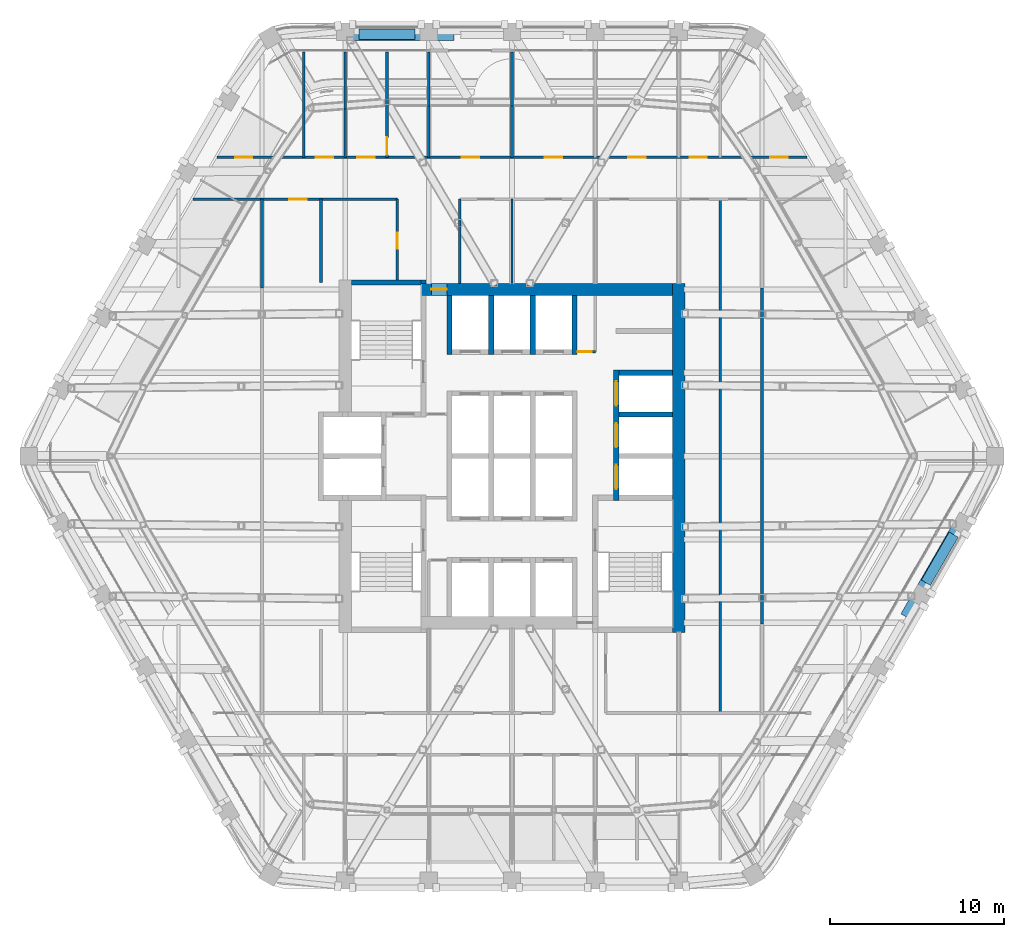
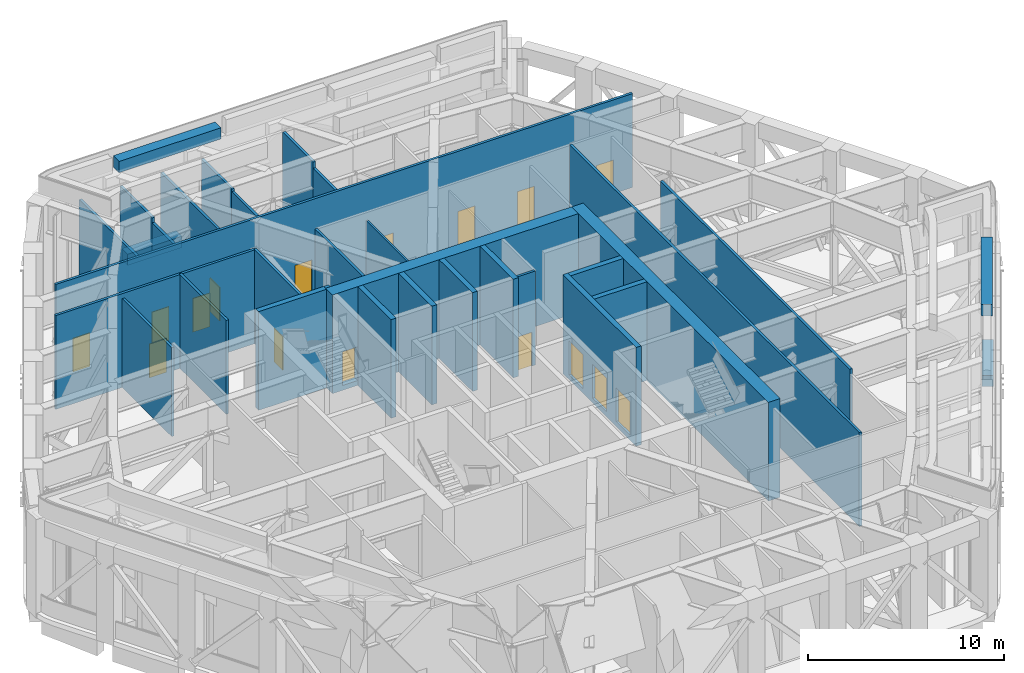
# One storey, part 16 of 24: 33 walls, 16 doors, 16 openings.
"""IFC4 building model written with IfcOpenShell, lengths in metres."""

from ifc_helpers import new_model, si_unit, direction, frame, frame_2d, origin, place, context, subcontext, project, spatial, rectangle, extrude, material, layer, layer_set, type_object, element, fill, save


model = new_model("IFC4")

# Units and contexts
model_context = context("Model", 3, precision=1e-05, world=origin(), true_north=direction((0.0, 1.0)))
body_context = subcontext(model_context, "Body", "Model", "MODEL_VIEW")
ifc_project = project(units=[si_unit("LENGTHUNIT", "METRE"), si_unit("AREAUNIT", "SQUARE_METRE"), si_unit("VOLUMEUNIT", "CUBIC_METRE"), si_unit("PLANEANGLEUNIT", "RADIAN"), si_unit("MASSUNIT", "GRAM", prefix="KILO")], contexts=[model_context])

# Site, building, storey
site_placement = place(None, origin())
site = spatial("IfcSite", under=ifc_project, at=site_placement, CompositionType="ELEMENT")
building_placement = place(site_placement, origin())
building = spatial("IfcBuilding", under=site, at=building_placement, Name="Kolab Exchange Tower", CompositionType="ELEMENT")
storey_placement = place(building_placement, frame((0.0, 0.0, 216.800048828125)))
storey = spatial("IfcBuildingStorey", under=building, at=storey_placement, Name="L47", CompositionType="ELEMENT", Elevation=216.800048828125)

# Wall, opening, door
ifc_material_1 = material(Name="Concrete C60/75", Category="concrete")
ifc_layer_1 = layer(ifc_material_1, 0.699951171875)
ifc_layer_set_1 = layer_set([ifc_layer_1], Name="Concrete C60/75")
wall_type_1 = type_object("IfcWallType", Name="CORE WALL 700 C60/75", PredefinedType="SHEAR", material=ifc_layer_set_1)
wall_1_placement = place(storey_placement, frame((-5.25, 9.60009765625, -0.300048828125), z_axis=(0.0, 0.0, 1.0), x_axis=(1.0, 0.0, 0.0)))
wall_1 = element("IfcWall", 1, at=wall_1_placement, inside=storey, type_object=wall_type_1, Name="wall/L47/core/031", PredefinedType="SHEAR", context=body_context, shape_type="SweptSolid", body=[
    extrude(rectangle(XDim=14.5, YDim=0.699951171875, at=frame_2d((7.25, 0.0))), origin(), (0.0, 0.0, 1.0), 6.14990234375),
])
opening_1_placement = place(wall_1_placement, frame((0.60009765625, 0.0, 0.300048828125)))
opening_1 = element("IfcOpeningElement", 2, at=opening_1_placement, cuts=wall_1, Name="Opening D6-293", PredefinedType="OPENING", context=body_context, shape_type="SweptSolid", body=[
    extrude(rectangle(XDim=0.89990234375, YDim=2.10009765625, at=frame_2d((0.449951171875, 1.050048828125))), frame((0.0, 0.35986328125, 0.0), z_axis=(0.0, -1.0, 0.0), x_axis=(1.0, 0.0, 0.0)), (0.0, 0.0, 1.0), 0.719970703125),
])
ifc_material_2 = material(Name="Steel S235", Category="steel")
door_type_1 = type_object("IfcDoorType", Name="CORE DOOR 900 EI 120", OperationType="SINGLE_SWING_LEFT", PredefinedType="DOOR", material=ifc_material_2)
door_1_placement = place(opening_1_placement, frame((0.89990234375, 0.0, 0.0), z_axis=(0.0, 0.0, 1.0), x_axis=(-1.0, 0.0, 0.0)))
door_1 = element("IfcDoor", 3, at=door_1_placement, inside=storey, type_object=door_type_1, Name="Core lobby door", OperationType="SINGLE_SWING_RIGHT", OverallHeight=2.10009765625, OverallWidth=0.89990234375, PredefinedType="DOOR", context=body_context, shape_type="SweptSolid", body=[
    extrude(rectangle(XDim=0.89990234375, YDim=2.10009765625, at=frame_2d((0.449951171875, 1.050048828125))), frame((0.0, 0.02490234375, 0.0), z_axis=(0.0, -1.0, 0.0), x_axis=(1.0, 0.0, 0.0)), (0.0, 0.0, 1.0), 0.050048828125),
])
fill(opening_1, door_1)

# Walls
wall_2_placement = place(storey_placement, frame((9.60009765625, -10.14990234375, -0.300048828125), z_axis=(0.0, 0.0, 1.0), x_axis=(0.0, 1.0, 0.0)))
element("IfcWall", 4, at=wall_2_placement, inside=storey, type_object=wall_type_1, Name="wall/L47/core/058", PredefinedType="SHEAR", context=body_context, shape_type="SweptSolid", body=[
    extrude(rectangle(XDim=20.099853515625, YDim=0.699951171875, at=frame_2d((10.0498046875, 0.0))), origin(), (0.0, 0.0, 1.0), 6.14990234375),
])
ifc_material_3 = material(Name="Concrete C50/60", Category="concrete")
ifc_layer_2 = layer(ifc_material_3, 0.300048828125)
ifc_layer_set_2 = layer_set([ifc_layer_2], Name="Concrete C50/60")
wall_type_2 = type_object("IfcWallType", Name="LIFT SHAFT WALL 300 C50/60", PredefinedType="STANDARD", material=ifc_layer_set_2)
for number, where, z_axis, x_axis, name in (
    (5, (6.14990234375, 2.39990234375, -0.300048828125), (0.0, 0.0, 1.0), (1.0, 0.0, 0.0), "wall/L47/core/022"),
    (6, (6.14990234375, 4.800048828125, -0.300048828125), (0.0, 0.0, 1.0), (1.0, 0.0, 0.0), "wall/L47/core/026"),
):
    element("IfcWall", number, at=place(storey_placement, frame(where, z_axis=z_axis, x_axis=x_axis)), inside=storey, type_object=wall_type_2, Name=name, PredefinedType="STANDARD", context=body_context, shape_type="SweptSolid", body=[
        extrude(rectangle(XDim=3.10009765625, YDim=0.300048828125, at=frame_2d((1.550048828125, 0.0))), origin(), (0.0, 0.0, 1.0), 6.14990234375),
    ])
for number, where, z_axis, x_axis, name in (
    (7, (-3.60009765625, 5.85009765625, -0.300048828125), (0.0, 0.0, 1.0), (0.0, 1.0, 0.0), "wall/L47/core/045"),
    (8, (-1.199951171875, 5.85009765625, -0.300048828125), (0.0, 0.0, 1.0), (0.0, 1.0, 0.0), "wall/L47/core/048"),
    (9, (1.199951171875, 5.85009765625, -0.300048828125), (0.0, 0.0, 1.0), (0.0, 1.0, 0.0), "wall/L47/core/051"),
    (10, (3.60009765625, 5.85009765625, -0.300048828125), (0.0, 0.0, 1.0), (0.0, 1.0, 0.0), "wall/L47/core/054"),
):
    element("IfcWall", number, at=place(storey_placement, frame(where, z_axis=z_axis, x_axis=x_axis)), inside=storey, type_object=wall_type_2, Name=name, PredefinedType="STANDARD", context=body_context, shape_type="SweptSolid", body=[
        extrude(rectangle(XDim=3.39990234375, YDim=0.300048828125, at=frame_2d((1.699951171875, 0.0))), origin(), (0.0, 0.0, 1.0), 6.14990234375),
    ])

# Wall, openings, doors
wall_3_placement = place(storey_placement, frame((6.0, -2.550048828125, -0.300048828125), z_axis=(0.0, 0.0, 1.0), x_axis=(0.0, 1.0, 0.0)))
wall_3 = element("IfcWall", 11, at=wall_3_placement, inside=storey, type_object=wall_type_2, Name="wall/L47/core/057", PredefinedType="STANDARD", context=body_context, shape_type="SweptSolid", body=[
    extrude(rectangle(XDim=7.5, YDim=0.300048828125, at=frame_2d((3.75, 0.0))), origin(), (0.0, 0.0, 1.0), 6.14990234375),
])
opening_2_placement = place(wall_3_placement, frame((0.64990234375, 0.0, 0.300048828125)))
opening_2 = element("IfcOpeningElement", 12, at=opening_2_placement, cuts=wall_3, Name="Opening LD3-031", PredefinedType="OPENING", context=body_context, shape_type="SweptSolid", body=[
    extrude(rectangle(XDim=1.39990234375, YDim=2.10009765625, at=frame_2d((0.699951171875, 1.050048828125))), frame((0.0, 0.16015625, 0.0), z_axis=(0.0, -1.0, 0.0), x_axis=(1.0, 0.0, 0.0)), (0.0, 0.0, 1.0), 0.320068359375),
])
opening_3_placement = place(wall_3_placement, frame((3.050048828125, 0.0, 0.300048828125)))
opening_3 = element("IfcOpeningElement", 13, at=opening_3_placement, cuts=wall_3, Name="Opening LD3-032", PredefinedType="OPENING", context=body_context, shape_type="SweptSolid", body=[
    extrude(rectangle(XDim=1.39990234375, YDim=2.10009765625, at=frame_2d((0.699951171875, 1.050048828125))), frame((0.0, 0.16015625, 0.0), z_axis=(0.0, -1.0, 0.0), x_axis=(1.0, 0.0, 0.0)), (0.0, 0.0, 1.0), 0.320068359375),
])
opening_4_placement = place(wall_3_placement, frame((5.449951171875, 0.0, 0.300048828125)))
opening_4 = element("IfcOpeningElement", 14, at=opening_4_placement, cuts=wall_3, Name="Opening LD3-033", PredefinedType="OPENING", context=body_context, shape_type="SweptSolid", body=[
    extrude(rectangle(XDim=1.39990234375, YDim=2.10009765625, at=frame_2d((0.699951171875, 1.050048828125))), frame((0.0, 0.16015625, 0.0), z_axis=(0.0, -1.0, 0.0), x_axis=(1.0, 0.0, 0.0)), (0.0, 0.0, 1.0), 0.320068359375),
])
ifc_material_4 = material(Name="Stainless steel 316", Category="steel")
door_type_2 = type_object("IfcDoorType", Name="LANDING DOOR 1400 SERVICE", OperationType="DOUBLE_DOOR_SLIDING", PredefinedType="DOOR", material=ifc_material_4)
door_2_placement = place(opening_2_placement, origin())
door_2 = element("IfcDoor", 15, at=door_2_placement, inside=storey, type_object=door_type_2, Name="Landing door SV1", OperationType="DOUBLE_DOOR_SLIDING", OverallHeight=2.10009765625, OverallWidth=1.39990234375, PredefinedType="DOOR", context=body_context, shape_type="SweptSolid", body=[
    extrude(rectangle(XDim=1.39990234375, YDim=2.10009765625, at=frame_2d((0.699951171875, 1.050048828125))), frame((0.0, 0.02490234375, 0.0), z_axis=(0.0, -1.0, 0.0), x_axis=(1.0, 0.0, 0.0)), (0.0, 0.0, 1.0), 0.050048828125),
])
fill(opening_2, door_2)
door_3_placement = place(opening_3_placement, origin())
door_3 = element("IfcDoor", 16, at=door_3_placement, inside=storey, type_object=door_type_2, Name="Landing door SV2", OperationType="DOUBLE_DOOR_SLIDING", OverallHeight=2.10009765625, OverallWidth=1.39990234375, PredefinedType="DOOR", context=body_context, shape_type="SweptSolid", body=[
    extrude(rectangle(XDim=1.39990234375, YDim=2.10009765625, at=frame_2d((0.699951171875, 1.050048828125))), frame((0.0, 0.02490234375, 0.0), z_axis=(0.0, -1.0, 0.0), x_axis=(1.0, 0.0, 0.0)), (0.0, 0.0, 1.0), 0.050048828125),
])
fill(opening_3, door_3)
door_4_placement = place(opening_4_placement, origin())
door_4 = element("IfcDoor", 17, at=door_4_placement, inside=storey, type_object=door_type_2, Name="Landing door SV3", OperationType="DOUBLE_DOOR_SLIDING", OverallHeight=2.10009765625, OverallWidth=1.39990234375, PredefinedType="DOOR", context=body_context, shape_type="SweptSolid", body=[
    extrude(rectangle(XDim=1.39990234375, YDim=2.10009765625, at=frame_2d((0.699951171875, 1.050048828125))), frame((0.0, 0.02490234375, 0.0), z_axis=(0.0, -1.0, 0.0), x_axis=(1.0, 0.0, 0.0)), (0.0, 0.0, 1.0), 0.050048828125),
])
fill(opening_4, door_4)

# Walls
ifc_material_5 = material(Name="Gypsum board", Category="gypsum")
ifc_layer_3 = layer(ifc_material_5, 0.10009765625)
ifc_layer_set_3 = layer_set([ifc_layer_3], Name="Gypsum board")
wall_type_3 = type_object("IfcWallType", Name="PARTITION 100", PredefinedType="PARTITIONING", material=ifc_layer_set_3)
wall_4_placement = place(storey_placement, frame((0.0, 9.949951171875, 0.0), z_axis=(0.0, 0.0, 1.0), x_axis=(0.0, 1.0, 0.0)))
element("IfcWall", 18, at=wall_4_placement, inside=storey, type_object=wall_type_3, Name="Partition 016", PredefinedType="PARTITIONING", context=body_context, shape_type="SweptSolid", body=[
    extrude(rectangle(XDim=4.85009765625, YDim=0.10009765625, at=frame_2d((2.425048828125, 0.0))), origin(), (0.0, 0.0, 1.0), 5.31689453125),
])
ifc_layer_4 = layer(ifc_material_5, 0.14990234375)
ifc_layer_set_4 = layer_set([ifc_layer_4], Name="Gypsum board")
wall_type_4 = type_object("IfcWallType", Name="PARTITION 150 FIRE-RATED", PredefinedType="PARTITIONING", material=ifc_layer_set_4)
wall_5_placement = place(storey_placement, frame((14.39990234375, -9.674072265625, 0.0), z_axis=(0.0, 0.0, 1.0), x_axis=(0.0, 1.0, 0.0)))
element("IfcWall", 19, at=wall_5_placement, inside=storey, type_object=wall_type_4, Name="Partition 000", PredefinedType="PARTITIONING", context=body_context, shape_type="SweptSolid", body=[
    extrude(rectangle(XDim=19.34814453125, YDim=0.14990234375, at=frame_2d((9.674072265625, 0.0))), origin(), (0.0, 0.0, 1.0), 5.849853515625),
])
wall_6_placement = place(storey_placement, frame((12.0, -14.800048828125, 0.0), z_axis=(0.0, 0.0, 1.0), x_axis=(0.0, 1.0, 0.0)))
element("IfcWall", 20, at=wall_6_placement, inside=storey, type_object=wall_type_4, Name="Partition 002", PredefinedType="PARTITIONING", context=body_context, shape_type="SweptSolid", body=[
    extrude(rectangle(XDim=29.60009765625, YDim=0.14990234375, at=frame_2d((14.800048828125, 0.0))), origin(), (0.0, 0.0, 1.0), 5.849853515625),
])
wall_7_placement = place(storey_placement, frame((0.0, 20.174560546875, 0.0), z_axis=(0.0, 0.0, 1.0), x_axis=(0.0, 1.0, 0.0)))
element("IfcWall", 21, at=wall_7_placement, inside=storey, type_object=wall_type_4, Name="Partition 018", PredefinedType="PARTITIONING", context=body_context, shape_type="SweptSolid", body=[
    extrude(rectangle(XDim=3.10693359375, YDim=0.14990234375, at=frame_2d((1.553466796875, 0.0))), origin(), (0.0, 0.0, 1.0), 5.699951171875),
])
wall_8_placement = place(storey_placement, frame((0.0, 17.199951171875, 0.0), z_axis=(0.0, 0.0, 1.0), x_axis=(0.0, 1.0, 0.0)))
element("IfcWall", 22, at=wall_8_placement, inside=storey, type_object=wall_type_4, Name="Partition 018", PredefinedType="PARTITIONING", context=body_context, shape_type="SweptSolid", body=[
    extrude(rectangle(XDim=2.974609375, YDim=0.14990234375, at=frame_2d((1.4873046875, 0.0))), origin(), (0.0, 0.0, 1.0), 5.31689453125),
])
wall_9_placement = place(storey_placement, frame((-3.0, 9.949951171875, 0.0), z_axis=(0.0, 0.0, 1.0), x_axis=(0.0, 1.0, 0.0)))
element("IfcWall", 23, at=wall_9_placement, inside=storey, type_object=wall_type_4, Name="Partition 019", PredefinedType="PARTITIONING", context=body_context, shape_type="SweptSolid", body=[
    extrude(rectangle(XDim=4.85009765625, YDim=0.14990234375, at=frame_2d((2.425048828125, 0.0))), origin(), (0.0, 0.0, 1.0), 5.849853515625),
])
wall_10_placement = place(storey_placement, frame((-4.800048828125, 20.174560546875, 0.0), z_axis=(0.0, 0.0, 1.0), x_axis=(0.0, 1.0, 0.0)))
element("IfcWall", 24, at=wall_10_placement, inside=storey, type_object=wall_type_4, Name="Partition 023", PredefinedType="PARTITIONING", context=body_context, shape_type="SweptSolid", body=[
    extrude(rectangle(XDim=3.10693359375, YDim=0.14990234375, at=frame_2d((1.553466796875, 0.0))), origin(), (0.0, 0.0, 1.0), 5.699951171875),
])
wall_11_placement = place(storey_placement, frame((-4.800048828125, 17.199951171875, 0.0), z_axis=(0.0, 0.0, 1.0), x_axis=(0.0, 1.0, 0.0)))
element("IfcWall", 25, at=wall_11_placement, inside=storey, type_object=wall_type_4, Name="Partition 023", PredefinedType="PARTITIONING", context=body_context, shape_type="SweptSolid", body=[
    extrude(rectangle(XDim=2.974609375, YDim=0.14990234375, at=frame_2d((1.4873046875, 0.0))), origin(), (0.0, 0.0, 1.0), 5.5400390625),
])

# Wall, opening, door
wall_12_placement = place(storey_placement, frame((-6.60009765625, 10.14990234375, 0.0), z_axis=(0.0, 0.0, 1.0), x_axis=(0.0, 1.0, 0.0)))
wall_12 = element("IfcWall", 26, at=wall_12_placement, inside=storey, type_object=wall_type_4, Name="Partition 024", PredefinedType="PARTITIONING", context=body_context, shape_type="SweptSolid", body=[
    extrude(rectangle(XDim=4.650146484375, YDim=0.14990234375, at=frame_2d((2.3251953125, 0.0))), origin(), (0.0, 0.0, 1.0), 5.849853515625),
])
opening_5_placement = place(wall_12_placement, frame((1.800048828125, 0.0, 0.0)))
opening_5 = element("IfcOpeningElement", 27, at=opening_5_placement, cuts=wall_12, Name="Opening D3-071", PredefinedType="OPENING", context=body_context, shape_type="SweptSolid", body=[
    extrude(rectangle(XDim=0.89990234375, YDim=2.10009765625, at=frame_2d((0.449951171875, 1.050048828125))), frame((0.0, 0.0849609375, 0.0), z_axis=(0.0, -1.0, 0.0), x_axis=(1.0, 0.0, 0.0)), (0.0, 0.0, 1.0), 0.169921875),
])
door_type_3 = type_object("IfcDoorType", Name="FLUSH DOOR 900 FD60", OperationType="SINGLE_SWING_LEFT", PredefinedType="DOOR", material=ifc_material_2)
door_5_placement = place(opening_5_placement, origin())
door_5 = element("IfcDoor", 28, at=door_5_placement, inside=storey, type_object=door_type_3, Name="Door L47-034", OperationType="SINGLE_SWING_LEFT", OverallHeight=2.10009765625, OverallWidth=0.89990234375, PredefinedType="DOOR", context=body_context, shape_type="SweptSolid", body=[
    extrude(rectangle(XDim=0.89990234375, YDim=2.10009765625, at=frame_2d((0.449951171875, 1.050048828125))), frame((0.0, 0.02490234375, 0.0), z_axis=(0.0, -1.0, 0.0), x_axis=(1.0, 0.0, 0.0)), (0.0, 0.0, 1.0), 0.050048828125),
])
fill(opening_5, door_5)

wall_13_placement = place(storey_placement, frame((-7.199951171875, 17.199951171875, 0.0), z_axis=(0.0, 0.0, 1.0), x_axis=(0.0, 1.0, 0.0)))
wall_13 = element("IfcWall", 29, at=wall_13_placement, inside=storey, type_object=wall_type_4, Name="Partition 025", PredefinedType="PARTITIONING", context=body_context, shape_type="SweptSolid", body=[
    extrude(rectangle(XDim=6.071533203125, YDim=0.14990234375, at=frame_2d((3.03564453125, 0.0))), origin(), (0.0, 0.0, 1.0), 5.699951171875),
])
opening_6_placement = place(wall_13_placement, frame((0.14990234375, 0.0, 0.0)))
opening_6 = element("IfcOpeningElement", 30, at=opening_6_placement, cuts=wall_13, Name="Opening D1-613", PredefinedType="OPENING", context=body_context, shape_type="SweptSolid", body=[
    extrude(rectangle(XDim=1.0, YDim=2.10009765625, at=frame_2d((0.5, 1.050048828125))), frame((0.0, 0.0849609375, 0.0), z_axis=(0.0, -1.0, 0.0), x_axis=(1.0, 0.0, 0.0)), (0.0, 0.0, 1.0), 0.169921875),
])
door_type_4 = type_object("IfcDoorType", Name="FLUSH DOOR 1000 FD60", OperationType="SINGLE_SWING_LEFT", PredefinedType="DOOR", material=ifc_material_2)
door_6_placement = place(opening_6_placement, frame((1.0, 0.0, 0.0), z_axis=(0.0, 0.0, 1.0), x_axis=(-1.0, 0.0, 0.0)))
door_6 = element("IfcDoor", 31, at=door_6_placement, inside=storey, type_object=door_type_4, Name="Door L47-042", OperationType="SINGLE_SWING_LEFT", OverallHeight=2.10009765625, OverallWidth=1.0, PredefinedType="DOOR", context=body_context, shape_type="SweptSolid", body=[
    extrude(rectangle(XDim=1.0, YDim=2.10009765625, at=frame_2d((0.5, 1.050048828125))), frame((0.0, 0.02490234375, 0.0), z_axis=(0.0, -1.0, 0.0), x_axis=(1.0, 0.0, 0.0)), (0.0, 0.0, 1.0), 0.050048828125),
])
fill(opening_6, door_6)

# Walls
wall_14_placement = place(storey_placement, frame((-9.60009765625, 19.982421875, 0.0), z_axis=(0.0, 0.0, 1.0), x_axis=(0.0, 1.0, 0.0)))
element("IfcWall", 32, at=wall_14_placement, inside=storey, type_object=wall_type_4, Name="Partition 027", PredefinedType="PARTITIONING", context=body_context, shape_type="SweptSolid", body=[
    extrude(rectangle(XDim=3.2890625, YDim=0.14990234375, at=frame_2d((1.64453125, 0.0))), origin(), (0.0, 0.0, 1.0), 5.699951171875),
])
wall_15_placement = place(storey_placement, frame((-9.60009765625, 17.199951171875, 0.0), z_axis=(0.0, 0.0, 1.0), x_axis=(0.0, 1.0, 0.0)))
element("IfcWall", 33, at=wall_15_placement, inside=storey, type_object=wall_type_4, Name="Partition 027", PredefinedType="PARTITIONING", context=body_context, shape_type="SweptSolid", body=[
    extrude(rectangle(XDim=2.782470703125, YDim=0.14990234375, at=frame_2d((1.39111328125, 0.0))), origin(), (0.0, 0.0, 1.0), 5.39306640625),
])
wall_16_placement = place(storey_placement, frame((-11.0, 10.0, 0.0), z_axis=(0.0, 0.0, 1.0), x_axis=(0.0, 1.0, 0.0)))
element("IfcWall", 34, at=wall_16_placement, inside=storey, type_object=wall_type_4, Name="Partition 029", PredefinedType="PARTITIONING", context=body_context, shape_type="SweptSolid", body=[
    extrude(rectangle(XDim=4.800048828125, YDim=0.14990234375, at=frame_2d((2.39990234375, 0.0))), origin(), (0.0, 0.0, 1.0), 5.849853515625),
])
wall_17_placement = place(storey_placement, frame((-12.0, 17.199951171875, 0.0), z_axis=(0.0, 0.0, 1.0), x_axis=(0.0, 1.0, 0.0)))
element("IfcWall", 35, at=wall_17_placement, inside=storey, type_object=wall_type_4, Name="Partition 031", PredefinedType="PARTITIONING", context=body_context, shape_type="SweptSolid", body=[
    extrude(rectangle(XDim=6.071533203125, YDim=0.14990234375, at=frame_2d((3.03564453125, 0.0))), origin(), (0.0, 0.0, 1.0), 5.699951171875),
])
wall_18_placement = place(storey_placement, frame((-14.39990234375, 9.674072265625, 0.0), z_axis=(0.0, 0.0, 1.0), x_axis=(0.0, 1.0, 0.0)))
element("IfcWall", 36, at=wall_18_placement, inside=storey, type_object=wall_type_4, Name="Partition 032", PredefinedType="PARTITIONING", context=body_context, shape_type="SweptSolid", body=[
    extrude(rectangle(XDim=5.1259765625, YDim=0.14990234375, at=frame_2d((2.56298828125, 0.0))), origin(), (0.0, 0.0, 1.0), 5.5400390625),
])

# Wall, opening, door
wall_19_placement = place(storey_placement, frame((3.75, 6.0, 0.0), z_axis=(0.0, 0.0, 1.0), x_axis=(1.0, 0.0, 0.0)))
wall_19 = element("IfcWall", 37, at=wall_19_placement, inside=storey, type_object=wall_type_4, Name="Partition 037", PredefinedType="PARTITIONING", context=body_context, shape_type="SweptSolid", body=[
    extrude(rectangle(XDim=1.050048828125, YDim=0.14990234375, at=frame_2d((0.52490234375, 0.0))), origin(), (0.0, 0.0, 1.0), 5.849853515625),
])
opening_7_placement = place(wall_19_placement, frame((0.050048828125, 0.0, 0.0)))
opening_7 = element("IfcOpeningElement", 38, at=opening_7_placement, cuts=wall_19, Name="Opening D7-026", PredefinedType="OPENING", context=body_context, shape_type="SweptSolid", body=[
    extrude(rectangle(XDim=0.800048828125, YDim=2.10009765625, at=frame_2d((0.39990234375, 1.050048828125))), frame((0.0, 0.0849609375, 0.0), z_axis=(0.0, -1.0, 0.0), x_axis=(1.0, 0.0, 0.0)), (0.0, 0.0, 1.0), 0.169921875),
])
door_type_5 = type_object("IfcDoorType", Name="FLUSH DOOR 800 FD60", OperationType="SINGLE_SWING_LEFT", PredefinedType="DOOR", material=ifc_material_2)
door_7_placement = place(opening_7_placement, origin())
door_7 = element("IfcDoor", 39, at=door_7_placement, inside=storey, type_object=door_type_5, Name="Door L47-023", OperationType="SINGLE_SWING_RIGHT", OverallHeight=2.10009765625, OverallWidth=0.800048828125, PredefinedType="DOOR", context=body_context, shape_type="SweptSolid", body=[
    extrude(rectangle(XDim=0.800048828125, YDim=2.10009765625, at=frame_2d((0.39990234375, 1.050048828125))), frame((0.0, 0.02490234375, 0.0), z_axis=(0.0, -1.0, 0.0), x_axis=(1.0, 0.0, 0.0)), (0.0, 0.0, 1.0), 0.050048828125),
])
fill(opening_7, door_7)

wall_20_placement = place(storey_placement, frame((-18.384521484375, 14.800048828125, 0.0), z_axis=(0.0, 0.0, 1.0), x_axis=(1.0, 0.0, 0.0)))
wall_20 = element("IfcWall", 40, at=wall_20_placement, inside=storey, type_object=wall_type_4, Name="Partition 038", PredefinedType="PARTITIONING", context=body_context, shape_type="SweptSolid", body=[
    extrude(rectangle(XDim=11.784423828125, YDim=0.14990234375, at=frame_2d((5.89208984375, 0.0))), origin(), (0.0, 0.0, 1.0), 5.849853515625),
])
opening_8_placement = place(wall_20_placement, frame((5.5595703125, 0.0, 0.0)))
opening_8 = element("IfcOpeningElement", 41, at=opening_8_placement, cuts=wall_20, Name="Opening D1-632", PredefinedType="OPENING", context=body_context, shape_type="SweptSolid", body=[
    extrude(rectangle(XDim=1.0, YDim=2.10009765625, at=frame_2d((0.5, 1.050048828125))), frame((0.0, 0.0849609375, 0.0), z_axis=(0.0, -1.0, 0.0), x_axis=(1.0, 0.0, 0.0)), (0.0, 0.0, 1.0), 0.169921875),
])
door_8_placement = place(opening_8_placement, frame((1.0, 0.0, 0.0), z_axis=(0.0, 0.0, 1.0), x_axis=(-1.0, 0.0, 0.0)))
door_8 = element("IfcDoor", 42, at=door_8_placement, inside=storey, type_object=door_type_4, Name="Door L47-061", OperationType="SINGLE_SWING_RIGHT", OverallHeight=2.10009765625, OverallWidth=1.0, PredefinedType="DOOR", context=body_context, shape_type="SweptSolid", body=[
    extrude(rectangle(XDim=1.0, YDim=2.10009765625, at=frame_2d((0.5, 1.050048828125))), frame((0.0, 0.02490234375, 0.0), z_axis=(0.0, -1.0, 0.0), x_axis=(1.0, 0.0, 0.0)), (0.0, 0.0, 1.0), 0.050048828125),
])
fill(opening_8, door_8)

# Wall, openings, doors
wall_21_placement = place(storey_placement, frame((-16.9990234375, 17.199951171875, 0.0), z_axis=(0.0, 0.0, 1.0), x_axis=(1.0, 0.0, 0.0)))
wall_21 = element("IfcWall", 43, at=wall_21_placement, inside=storey, type_object=wall_type_4, Name="Partition 040", PredefinedType="PARTITIONING", context=body_context, shape_type="SweptSolid", body=[
    extrude(rectangle(XDim=33.998046875, YDim=0.14990234375, at=frame_2d((16.9990234375, 0.0))), origin(), (0.0, 0.0, 1.0), 5.849853515625),
])
opening_9_placement = place(wall_21_placement, frame((1.0458984375, 0.0, 0.0)))
opening_9 = element("IfcOpeningElement", 44, at=opening_9_placement, cuts=wall_21, Name="Opening D1-610", PredefinedType="OPENING", context=body_context, shape_type="SweptSolid", body=[
    extrude(rectangle(XDim=1.0, YDim=2.10009765625, at=frame_2d((0.5, 1.050048828125))), frame((0.0, 0.0849609375, 0.0), z_axis=(0.0, -1.0, 0.0), x_axis=(1.0, 0.0, 0.0)), (0.0, 0.0, 1.0), 0.169921875),
])
opening_10_placement = place(wall_21_placement, frame((5.698974609375, 0.0, 0.0)))
opening_10 = element("IfcOpeningElement", 45, at=opening_10_placement, cuts=wall_21, Name="Opening D1-611", PredefinedType="OPENING", context=body_context, shape_type="SweptSolid", body=[
    extrude(rectangle(XDim=1.0, YDim=2.10009765625, at=frame_2d((0.5, 1.050048828125))), frame((0.0, 0.0849609375, 0.0), z_axis=(0.0, -1.0, 0.0), x_axis=(1.0, 0.0, 0.0)), (0.0, 0.0, 1.0), 0.169921875),
])
opening_11_placement = place(wall_21_placement, frame((8.09912109375, 0.0, 0.0)))
opening_11 = element("IfcOpeningElement", 46, at=opening_11_placement, cuts=wall_21, Name="Opening D1-612", PredefinedType="OPENING", context=body_context, shape_type="SweptSolid", body=[
    extrude(rectangle(XDim=1.0, YDim=2.10009765625, at=frame_2d((0.5, 1.050048828125))), frame((0.0, 0.0849609375, 0.0), z_axis=(0.0, -1.0, 0.0), x_axis=(1.0, 0.0, 0.0)), (0.0, 0.0, 1.0), 0.169921875),
])
opening_12_placement = place(wall_21_placement, frame((14.09912109375, 0.0, 0.0)))
opening_12 = element("IfcOpeningElement", 47, at=opening_12_placement, cuts=wall_21, Name="Opening D1-614", PredefinedType="OPENING", context=body_context, shape_type="SweptSolid", body=[
    extrude(rectangle(XDim=1.0, YDim=2.10009765625, at=frame_2d((0.5, 1.050048828125))), frame((0.0, 0.0849609375, 0.0), z_axis=(0.0, -1.0, 0.0), x_axis=(1.0, 0.0, 0.0)), (0.0, 0.0, 1.0), 0.169921875),
])
opening_13_placement = place(wall_21_placement, frame((18.89892578125, 0.0, 0.0)))
opening_13 = element("IfcOpeningElement", 48, at=opening_13_placement, cuts=wall_21, Name="Opening D1-615", PredefinedType="OPENING", context=body_context, shape_type="SweptSolid", body=[
    extrude(rectangle(XDim=1.0, YDim=2.10009765625, at=frame_2d((0.5, 1.050048828125))), frame((0.0, 0.0849609375, 0.0), z_axis=(0.0, -1.0, 0.0), x_axis=(1.0, 0.0, 0.0)), (0.0, 0.0, 1.0), 0.169921875),
])
opening_14_placement = place(wall_21_placement, frame((23.698974609375, 0.0, 0.0)))
opening_14 = element("IfcOpeningElement", 49, at=opening_14_placement, cuts=wall_21, Name="Opening D1-616", PredefinedType="OPENING", context=body_context, shape_type="SweptSolid", body=[
    extrude(rectangle(XDim=1.0, YDim=2.10009765625, at=frame_2d((0.5, 1.050048828125))), frame((0.0, 0.0849609375, 0.0), z_axis=(0.0, -1.0, 0.0), x_axis=(1.0, 0.0, 0.0)), (0.0, 0.0, 1.0), 0.169921875),
])
opening_15_placement = place(wall_21_placement, frame((27.22412109375, 0.0, 0.0)))
opening_15 = element("IfcOpeningElement", 50, at=opening_15_placement, cuts=wall_21, Name="Opening D1-617", PredefinedType="OPENING", context=body_context, shape_type="SweptSolid", body=[
    extrude(rectangle(XDim=1.0, YDim=2.10009765625, at=frame_2d((0.5, 1.050048828125))), frame((0.0, 0.0849609375, 0.0), z_axis=(0.0, -1.0, 0.0), x_axis=(1.0, 0.0, 0.0)), (0.0, 0.0, 1.0), 0.169921875),
])
opening_16_placement = place(wall_21_placement, frame((31.86962890625, 0.0, 0.0)))
opening_16 = element("IfcOpeningElement", 51, at=opening_16_placement, cuts=wall_21, Name="Opening D1-618", PredefinedType="OPENING", context=body_context, shape_type="SweptSolid", body=[
    extrude(rectangle(XDim=1.0, YDim=2.10009765625, at=frame_2d((0.5, 1.050048828125))), frame((0.0, 0.0849609375, 0.0), z_axis=(0.0, -1.0, 0.0), x_axis=(1.0, 0.0, 0.0)), (0.0, 0.0, 1.0), 0.169921875),
])
door_9_placement = place(opening_9_placement, origin())
door_9 = element("IfcDoor", 52, at=door_9_placement, inside=storey, type_object=door_type_4, Name="Door L47-039", OperationType="SINGLE_SWING_LEFT", OverallHeight=2.10009765625, OverallWidth=1.0, PredefinedType="DOOR", context=body_context, shape_type="SweptSolid", body=[
    extrude(rectangle(XDim=1.0, YDim=2.10009765625, at=frame_2d((0.5, 1.050048828125))), frame((0.0, 0.02490234375, 0.0), z_axis=(0.0, -1.0, 0.0), x_axis=(1.0, 0.0, 0.0)), (0.0, 0.0, 1.0), 0.050048828125),
])
fill(opening_9, door_9)
door_10_placement = place(opening_10_placement, origin())
door_10 = element("IfcDoor", 53, at=door_10_placement, inside=storey, type_object=door_type_4, Name="Door L47-040", OperationType="SINGLE_SWING_RIGHT", OverallHeight=2.10009765625, OverallWidth=1.0, PredefinedType="DOOR", context=body_context, shape_type="SweptSolid", body=[
    extrude(rectangle(XDim=1.0, YDim=2.10009765625, at=frame_2d((0.5, 1.050048828125))), frame((0.0, 0.02490234375, 0.0), z_axis=(0.0, -1.0, 0.0), x_axis=(1.0, 0.0, 0.0)), (0.0, 0.0, 1.0), 0.050048828125),
])
fill(opening_10, door_10)
door_11_placement = place(opening_11_placement, origin())
door_11 = element("IfcDoor", 54, at=door_11_placement, inside=storey, type_object=door_type_4, Name="Door L47-041", OperationType="SINGLE_SWING_RIGHT", OverallHeight=2.10009765625, OverallWidth=1.0, PredefinedType="DOOR", context=body_context, shape_type="SweptSolid", body=[
    extrude(rectangle(XDim=1.0, YDim=2.10009765625, at=frame_2d((0.5, 1.050048828125))), frame((0.0, 0.02490234375, 0.0), z_axis=(0.0, -1.0, 0.0), x_axis=(1.0, 0.0, 0.0)), (0.0, 0.0, 1.0), 0.050048828125),
])
fill(opening_11, door_11)
door_12_placement = place(opening_12_placement, origin())
door_12 = element("IfcDoor", 55, at=door_12_placement, inside=storey, type_object=door_type_4, Name="Door L47-043", OperationType="SINGLE_SWING_RIGHT", OverallHeight=2.10009765625, OverallWidth=1.0, PredefinedType="DOOR", context=body_context, shape_type="SweptSolid", body=[
    extrude(rectangle(XDim=1.0, YDim=2.10009765625, at=frame_2d((0.5, 1.050048828125))), frame((0.0, 0.02490234375, 0.0), z_axis=(0.0, -1.0, 0.0), x_axis=(1.0, 0.0, 0.0)), (0.0, 0.0, 1.0), 0.050048828125),
])
fill(opening_12, door_12)
door_13_placement = place(opening_13_placement, origin())
door_13 = element("IfcDoor", 56, at=door_13_placement, inside=storey, type_object=door_type_4, Name="Door L47-044", OperationType="SINGLE_SWING_RIGHT", OverallHeight=2.10009765625, OverallWidth=1.0, PredefinedType="DOOR", context=body_context, shape_type="SweptSolid", body=[
    extrude(rectangle(XDim=1.0, YDim=2.10009765625, at=frame_2d((0.5, 1.050048828125))), frame((0.0, 0.02490234375, 0.0), z_axis=(0.0, -1.0, 0.0), x_axis=(1.0, 0.0, 0.0)), (0.0, 0.0, 1.0), 0.050048828125),
])
fill(opening_13, door_13)
door_14_placement = place(opening_14_placement, origin())
door_14 = element("IfcDoor", 57, at=door_14_placement, inside=storey, type_object=door_type_4, Name="Door L47-045", OperationType="SINGLE_SWING_RIGHT", OverallHeight=2.10009765625, OverallWidth=1.0, PredefinedType="DOOR", context=body_context, shape_type="SweptSolid", body=[
    extrude(rectangle(XDim=1.0, YDim=2.10009765625, at=frame_2d((0.5, 1.050048828125))), frame((0.0, 0.02490234375, 0.0), z_axis=(0.0, -1.0, 0.0), x_axis=(1.0, 0.0, 0.0)), (0.0, 0.0, 1.0), 0.050048828125),
])
fill(opening_14, door_14)
door_15_placement = place(opening_15_placement, origin())
door_15 = element("IfcDoor", 58, at=door_15_placement, inside=storey, type_object=door_type_4, Name="Door L47-046", OperationType="SINGLE_SWING_LEFT", OverallHeight=2.10009765625, OverallWidth=1.0, PredefinedType="DOOR", context=body_context, shape_type="SweptSolid", body=[
    extrude(rectangle(XDim=1.0, YDim=2.10009765625, at=frame_2d((0.5, 1.050048828125))), frame((0.0, 0.02490234375, 0.0), z_axis=(0.0, -1.0, 0.0), x_axis=(1.0, 0.0, 0.0)), (0.0, 0.0, 1.0), 0.050048828125),
])
fill(opening_15, door_15)
door_16_placement = place(opening_16_placement, origin())
door_16 = element("IfcDoor", 59, at=door_16_placement, inside=storey, type_object=door_type_4, Name="Door L47-047", OperationType="SINGLE_SWING_RIGHT", OverallHeight=2.10009765625, OverallWidth=1.0, PredefinedType="DOOR", context=body_context, shape_type="SweptSolid", body=[
    extrude(rectangle(XDim=1.0, YDim=2.10009765625, at=frame_2d((0.5, 1.050048828125))), frame((0.0, 0.02490234375, 0.0), z_axis=(0.0, -1.0, 0.0), x_axis=(1.0, 0.0, 0.0)), (0.0, 0.0, 1.0), 0.050048828125),
])
fill(opening_16, door_16)

# Walls
ifc_material_6 = material(Name="Granite facing", Category="masonry")
ifc_layer_5 = layer(ifc_material_6, 0.0400390625)
ifc_material_7 = material(Name="Concrete C40/50 precast", Category="concrete")
ifc_layer_6 = layer(ifc_material_7, 0.56005859375)
ifc_layer_set_5 = layer_set([ifc_layer_5, ifc_layer_6], Name="Concrete C40/50 precast")
wall_type_5 = type_object("IfcWallType", Name="PLANTER BOX 600 X 700 SOIL DEPTH 550", PredefinedType="USERDEFINED", material=ifc_layer_set_5)
wall_22_placement = place(storey_placement, frame((-8.800048828125, 24.29150390625, 0.0), z_axis=(0.0, 0.0, 1.0), x_axis=(1.0, 0.0, 0.0)))
element("IfcWall", 60, at=wall_22_placement, inside=storey, type_object=wall_type_5, Name="Planter", ObjectType="PLANTER", PredefinedType="USERDEFINED", context=body_context, shape_type="SweptSolid", body=[
    extrude(rectangle(XDim=3.199951171875, YDim=0.60009765625, at=frame_2d((1.60009765625, 0.0))), origin(), (0.0, 0.0, 1.0), 0.699951171875),
])
wall_23_placement = place(storey_placement, frame((25.43701171875, -4.524658203125, 0.0), z_axis=(0.0, 0.0, 1.0), x_axis=(-0.499938187974, -0.866061088033, 0.0)))
element("IfcWall", 61, at=wall_23_placement, inside=storey, type_object=wall_type_5, Name="Planter", ObjectType="PLANTER", PredefinedType="USERDEFINED", context=body_context, shape_type="SweptSolid", body=[
    extrude(rectangle(XDim=3.2001953125, YDim=0.60009765625, at=frame_2d((1.60009765625, 0.0))), origin(), (0.0, 0.0, 1.0), 0.699951171875),
])
for number, where, z_axis, x_axis, name in (
    (62, (-9.333984375, 24.241455078125, 6.0), (0.0, 0.0, 1.0), (1.0, 0.0, 0.0), "Planter"),
    (63, (25.660888671875, -4.037353515625, 6.0), (0.0, 0.0, 1.0), (-0.500007758305, -0.866020924479, 0.0), "Planter"),
):
    element("IfcWall", number, at=place(storey_placement, frame(where, z_axis=z_axis, x_axis=x_axis)), inside=storey, type_object=wall_type_5, Name=name, ObjectType="PLANTER", PredefinedType="USERDEFINED", context=body_context, shape_type="SweptSolid", body=[
        extrude(rectangle(XDim=6.0, YDim=0.60009765625, at=frame_2d((3.0, 0.0))), origin(), (0.0, 0.0, 1.0), 0.699951171875),
    ])
ifc_layer_7 = layer(ifc_material_3, 0.300048828125)
ifc_layer_set_6 = layer_set([ifc_layer_7], Name="Concrete C50/60")
wall_type_6 = type_object("IfcWallType", Name="STAIR ENCLOSURE WALL 300 C50/60", PredefinedType="STANDARD", material=ifc_layer_set_6)
wall_24_placement = place(storey_placement, frame((-9.25, 10.0, -0.300048828125), z_axis=(0.0, 0.0, 1.0), x_axis=(1.0, 0.0, 0.0)))
element("IfcWall", 64, at=wall_24_placement, inside=storey, type_object=wall_type_6, Name="wall/L47/core/032", PredefinedType="STANDARD", context=body_context, shape_type="SweptSolid", body=[
    extrude(rectangle(XDim=4.0, YDim=0.300048828125, at=frame_2d((2.0, 0.0))), origin(), (0.0, 0.0, 1.0), 6.14990234375),
])
wall_25_placement = place(storey_placement, frame((-5.10009765625, 9.949951171875, -0.300048828125), z_axis=(0.0, 0.0, 1.0), x_axis=(0.0, 1.0, 0.0)))
element("IfcWall", 65, at=wall_25_placement, inside=storey, type_object=wall_type_6, Name="wall/L47/core/042", PredefinedType="STANDARD", context=body_context, shape_type="SweptSolid", body=[
    extrude(rectangle(XDim=0.199951171875, YDim=0.300048828125, at=frame_2d((0.10009765625, 0.0))), origin(), (0.0, 0.0, 1.0), 6.14990234375),
])

save(model, "model.ifc")
